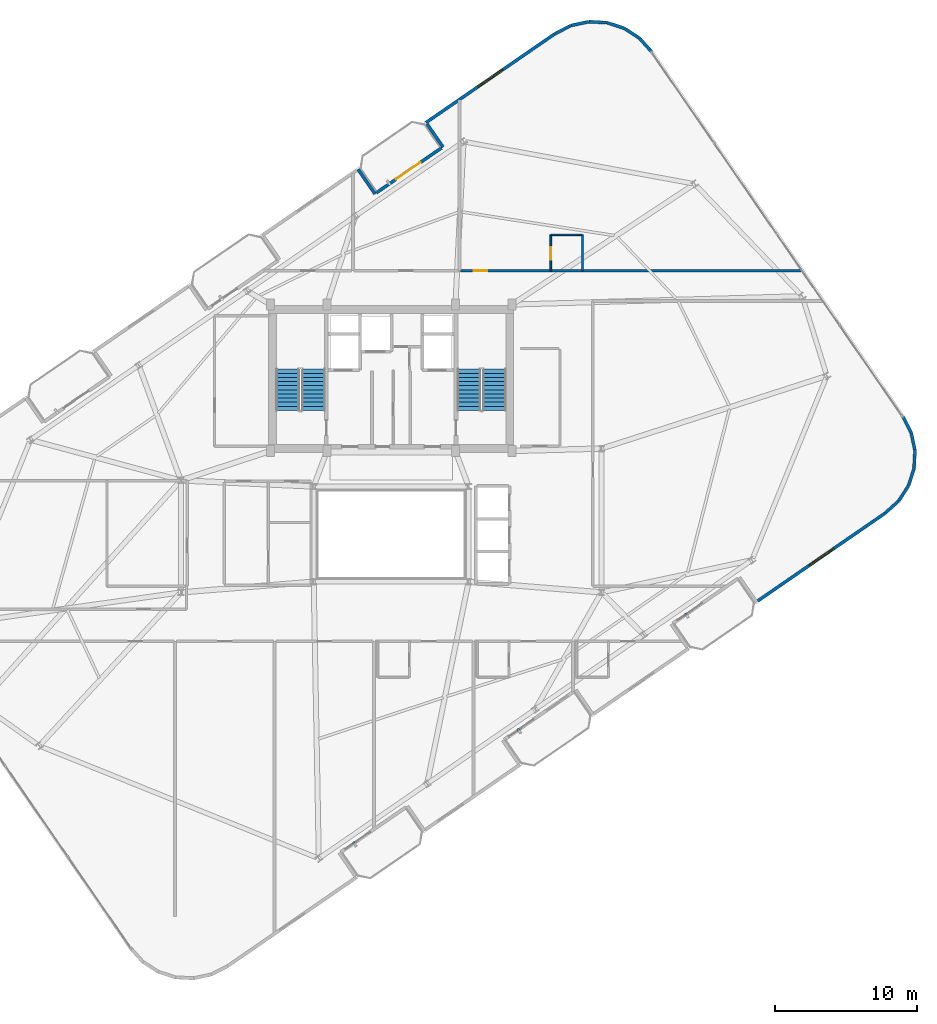
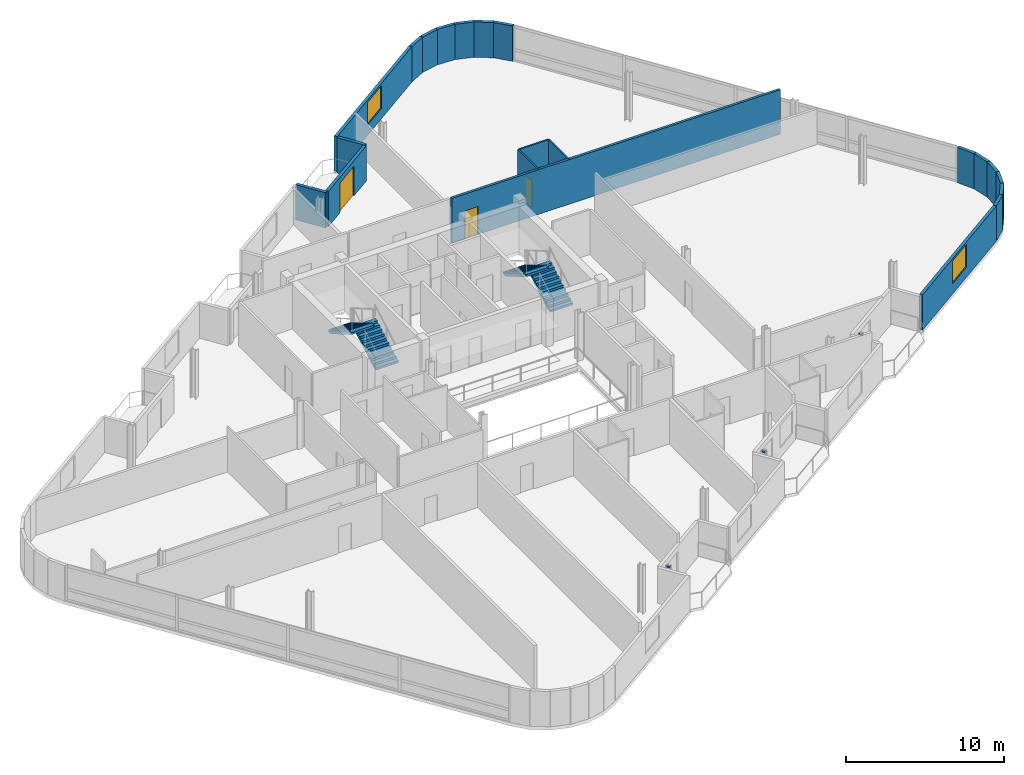
# One storey, part 17 of 21: 21 walls, 4 stair flights, 3 discrete accessories, 3 doors, 2 windows, 5 openings, 2 elements without a shape of their own.
"""IFC4 building model written with IfcOpenShell, lengths in metres."""

from ifc_helpers import new_model, si_unit, direction, frame, frame_2d, origin, origin_2d, place, context, subcontext, project, spatial, polyline, rectangle, outline, extrude, source, transform, mapped, material, layer, layer_set, type_object, element, fill, aggregate, save


model = new_model("IFC4")

# Units and contexts
model_context = context("Model", 3, precision=1e-05, world=origin(), true_north=direction((0.0, 1.0)))
body_context = subcontext(model_context, "Body", "Model", "MODEL_VIEW")
ifc_project = project(units=[si_unit("LENGTHUNIT", "METRE"), si_unit("AREAUNIT", "SQUARE_METRE"), si_unit("VOLUMEUNIT", "CUBIC_METRE"), si_unit("PLANEANGLEUNIT", "RADIAN"), si_unit("MASSUNIT", "GRAM", prefix="KILO")], contexts=[model_context])

# Site, building, storey
site_placement = place(None, origin())
site = spatial("IfcSite", under=ifc_project, at=site_placement, CompositionType="ELEMENT")
building_placement = place(site_placement, origin())
building = spatial("IfcBuilding", under=site, at=building_placement, Name="Varnelok Gate Tower", CompositionType="ELEMENT")
storey_placement = place(building_placement, frame((0.0, 0.0, 261.89990234375)))
storey = spatial("IfcBuildingStorey", under=building, at=storey_placement, Name="L67", CompositionType="ELEMENT", Elevation=261.89990234375)

# Wall, opening, door
ifc_material_1 = material(Name="Concrete C45/55", Category="concrete")
ifc_layer_1 = layer(ifc_material_1, 0.219970703125)
ifc_layer_set_1 = layer_set([ifc_layer_1], Name="Concrete C45/55")
wall_type_1 = type_object("IfcWallType", Name="EW-BALC-220", PredefinedType="SOLIDWALL", material=ifc_layer_set_1)
wall_1_placement = place(storey_placement, frame((38.15625, 46.91162109375, 0.0), z_axis=(0.0, 0.0, 1.0), x_axis=(0.823527178548, 0.567276816195, 0.0)))
wall_1 = element("IfcWall", 1, at=wall_1_placement, inside=storey, type_object=wall_type_1, Name="L67 North Terrace Envelope Wall 6", PredefinedType="SOLIDWALL", context=body_context, shape_type="SweptSolid", body=[
    extrude(rectangle(XDim=5.56689453125, YDim=0.219970703125, at=frame_2d((2.783447265625, 0.0))), origin(), (0.0, 0.0, 1.0), 2.72998046875),
])
opening_1_placement = place(wall_1_placement, frame((1.68017578125, 0.0, 0.0)))
opening_1 = element("IfcOpeningElement", 2, at=opening_1_placement, cuts=wall_1, Name="Opening BD-2", PredefinedType="OPENING", context=body_context, shape_type="SweptSolid", body=[
    extrude(rectangle(XDim=2.10009765625, YDim=2.300048828125, at=frame_2d((1.050048828125, 1.14990234375))), frame((0.0, 0.119873046875, 0.0), z_axis=(0.0, -1.0, 0.0), x_axis=(1.0, 0.0, 0.0)), (0.0, 0.0, 1.0), 0.239990234375),
])
ifc_material_2 = material(Name="Anodized Aluminum Alloy 6063-T6", Category="aluminium")
door_type_1 = type_object("IfcDoorType", Name="DR-EXT-SLID2100", OperationType="SLIDING_TO_LEFT", PredefinedType="DOOR", material=ifc_material_2)
door_1_placement = place(opening_1_placement, origin())
door_1 = element("IfcDoor", 3, at=door_1_placement, inside=storey, type_object=door_type_1, Name="L67 North Balcony Glazed Door 6", OperationType="SLIDING_TO_LEFT", OverallHeight=2.300048828125, OverallWidth=2.10009765625, PredefinedType="DOOR", context=body_context, shape_type="SweptSolid", body=[
    extrude(rectangle(XDim=2.10009765625, YDim=2.300048828125, at=frame_2d((1.050048828125, 1.14990234375))), frame((0.0, 0.02490234375, 0.0), z_axis=(0.0, -1.0, 0.0), x_axis=(1.0, 0.0, 0.0)), (0.0, 0.0, 1.0), 0.050048828125),
])
fill(opening_1, door_1)

# Wall, opening, window
wall_2_placement = place(storey_placement, frame((64.9921875, 18.197998046875, 0.0), z_axis=(0.0, 0.0, 1.0), x_axis=(0.823538117322, 0.56726093583, 0.0)))
wall_2 = element("IfcWall", 4, at=wall_2_placement, inside=storey, type_object=wall_type_1, Name="L67 Perimeter Facade Closure Wall 16", PredefinedType="SOLIDWALL", context=body_context, shape_type="SweptSolid", body=[
    extrude(rectangle(XDim=10.880126953125, YDim=0.219970703125, at=frame_2d((5.43994140625, 0.0))), origin(), (0.0, 0.0, 1.0), 2.72998046875),
])
opening_2_placement = place(wall_2_placement, frame((4.39013671875, 0.0, 0.800048828125)))
opening_2 = element("IfcOpeningElement", 5, at=opening_2_placement, cuts=wall_2, Name="Opening WN4", PredefinedType="OPENING", context=body_context, shape_type="SweptSolid", body=[
    extrude(rectangle(XDim=2.10009765625, YDim=1.75, at=frame_2d((1.050048828125, 0.875))), frame((0.0, 0.119873046875, 0.0), z_axis=(0.0, -1.0, 0.0), x_axis=(1.0, 0.0, 0.0)), (0.0, 0.0, 1.0), 0.239990234375),
])
ifc_material_3 = material(Name="Low-E Laminated Double Glazing IGU", Category="glass")
window_type = type_object("IfcWindowType", Name="WN-SUI-2100", PartitioningType="SINGLE_PANEL", PredefinedType="WINDOW", material=ifc_material_3)
window_1_placement = place(opening_2_placement, origin())
window_1 = element("IfcWindow", 6, at=window_1_placement, inside=storey, type_object=window_type, Name="L67 Perimeter Vision Window 16", OverallHeight=1.75, OverallWidth=2.10009765625, PartitioningType="SINGLE_PANEL", PredefinedType="WINDOW", context=body_context, shape_type="SweptSolid", body=[
    extrude(rectangle(XDim=2.10009765625, YDim=1.75, at=frame_2d((1.050048828125, 0.875))), frame((0.0, 0.030029296875, 0.0), z_axis=(0.0, -1.0, 0.0), x_axis=(1.0, 0.0, 0.0)), (0.0, 0.0, 1.0), 0.06005859375),
])
fill(opening_2, window_1)

# Walls
wall_3_placement = place(storey_placement, frame((73.970947265625, 24.38671875, 0.0), z_axis=(0.0, 0.0, 1.0), x_axis=(0.742501517089, 0.669844382764, 0.0)))
element("IfcWall", 7, at=wall_3_placement, inside=storey, type_object=wall_type_1, Name="L67 Perimeter Facade Closure Wall 17", PredefinedType="SOLIDWALL", context=body_context, shape_type="SweptSolid", body=[
    extrude(rectangle(XDim=1.256591796875, YDim=0.219970703125, at=frame_2d((0.62841796875, 0.0))), origin(), (0.0, 0.0, 1.0), 2.72998046875),
])
wall_4_placement = place(storey_placement, frame((74.91748046875, 25.24951171875, 0.0), z_axis=(0.0, 0.0, 1.0), x_axis=(0.543778157277, 0.839229000731, 0.0)))
element("IfcWall", 8, at=wall_4_placement, inside=storey, type_object=wall_type_1, Name="L67 Perimeter Facade Closure Wall 18", PredefinedType="SOLIDWALL", context=body_context, shape_type="SweptSolid", body=[
    extrude(rectangle(XDim=1.24853515625, YDim=0.219970703125, at=frame_2d((0.624267578125, 0.0))), origin(), (0.0, 0.0, 1.0), 2.72998046875),
])
for number, where, z_axis, x_axis, name in (
    (9, (75.604248046875, 26.321044921875, 0.0), (0.0, 0.0, 1.0), (0.307945220076, 0.951404089455, 0.0), "L67 Perimeter Facade Closure Wall 19"),
    (10, (75.989990234375, 27.533935546875, 0.0), (0.0, 0.0, 1.0), (0.05141975041, 0.998677129641, 0.0), "L67 Perimeter Facade Closure Wall 20"),
    (11, (76.048828125, 28.805419921875, 0.0), (0.0, 0.0, 1.0), (-0.208808017511, 0.977956651301, 0.0), "L67 Perimeter Facade Closure Wall 21"),
    (12, (75.776611328125, 30.048828125, 0.0), (0.0, 0.0, 1.0), (-0.454938817534, 0.890522696118, 0.0), "L67 Perimeter Facade Closure Wall 22"),
):
    element("IfcWall", number, at=place(storey_placement, frame(where, z_axis=z_axis, x_axis=x_axis)), inside=storey, type_object=wall_type_1, Name=name, PredefinedType="SOLIDWALL", context=body_context, shape_type="SweptSolid", body=[
        extrude(rectangle(XDim=1.248779296875, YDim=0.219970703125, at=frame_2d((0.62451171875, 0.0))), origin(), (0.0, 0.0, 1.0), 2.72998046875),
    ])
wall_5_placement = place(storey_placement, frame((57.509765625, 56.85498046875, 0.0), z_axis=(0.0, 0.0, 1.0), x_axis=(-0.669853727156, 0.742493086982, 0.0)))
element("IfcWall", 13, at=wall_5_placement, inside=storey, type_object=wall_type_1, Name="L67 Perimeter Facade Closure Wall 23", PredefinedType="SOLIDWALL", context=body_context, shape_type="SweptSolid", body=[
    extrude(rectangle(XDim=1.27392578125, YDim=0.219970703125, at=frame_2d((0.636962890625, 0.0))), origin(), (0.0, 0.0, 1.0), 2.72998046875),
])
wall_6_placement = place(storey_placement, frame((56.635498046875, 57.814208984375, 0.0), z_axis=(0.0, 0.0, 1.0), x_axis=(-0.839229000731, 0.543778157277, 0.0)))
element("IfcWall", 14, at=wall_6_placement, inside=storey, type_object=wall_type_1, Name="L67 Perimeter Facade Closure Wall 24", PredefinedType="SOLIDWALL", context=body_context, shape_type="SweptSolid", body=[
    extrude(rectangle(XDim=1.24853515625, YDim=0.219970703125, at=frame_2d((0.624267578125, 0.0))), origin(), (0.0, 0.0, 1.0), 2.72998046875),
])
for number, where, z_axis, x_axis, name in (
    (15, (55.56396484375, 58.5009765625, 0.0), (0.0, 0.0, 1.0), (-0.951404089455, 0.307945220076, 0.0), "L67 Perimeter Facade Closure Wall 25"),
    (16, (54.35107421875, 58.88671875, 0.0), (0.0, 0.0, 1.0), (-0.998687150602, 0.051224752047, 0.0), "L67 Perimeter Facade Closure Wall 26"),
    (17, (53.07958984375, 58.945556640625, 0.0), (0.0, 0.0, 1.0), (-0.977956651301, -0.208808017511, 0.0), "L67 Perimeter Facade Closure Wall 27"),
):
    element("IfcWall", number, at=place(storey_placement, frame(where, z_axis=z_axis, x_axis=x_axis)), inside=storey, type_object=wall_type_1, Name=name, PredefinedType="SOLIDWALL", context=body_context, shape_type="SweptSolid", body=[
        extrude(rectangle(XDim=1.248779296875, YDim=0.219970703125, at=frame_2d((0.62451171875, 0.0))), origin(), (0.0, 0.0, 1.0), 2.72998046875),
    ])
wall_7_placement = place(storey_placement, frame((51.836181640625, 58.67333984375, 0.0), z_axis=(0.0, 0.0, 1.0), x_axis=(-0.890586847538, -0.454813222095, 0.0)))
element("IfcWall", 18, at=wall_7_placement, inside=storey, type_object=wall_type_1, Name="L67 Perimeter Facade Closure Wall 28", PredefinedType="SOLIDWALL", context=body_context, shape_type="SweptSolid", body=[
    extrude(rectangle(XDim=1.256591796875, YDim=0.219970703125, at=frame_2d((0.62841796875, 0.0))), origin(), (0.0, 0.0, 1.0), 2.72998046875),
])

# Wall, opening, window
wall_8_placement = place(storey_placement, frame((50.696533203125, 58.08740234375, 0.0), z_axis=(0.0, 0.0, 1.0), x_axis=(-0.823539455464, -0.567258993137, 0.0)))
wall_8 = element("IfcWall", 19, at=wall_8_placement, inside=storey, type_object=wall_type_1, Name="L67 Perimeter Facade Closure Wall 29", PredefinedType="SOLIDWALL", context=body_context, shape_type="SweptSolid", body=[
    extrude(rectangle(XDim=10.97998046875, YDim=0.219970703125, at=frame_2d((5.489990234375, 0.0))), origin(), (0.0, 0.0, 1.0), 2.72998046875),
])
opening_3_placement = place(wall_8_placement, frame((4.440185546875, 0.0, 0.800048828125)))
opening_3 = element("IfcOpeningElement", 20, at=opening_3_placement, cuts=wall_8, Name="Opening WN4", PredefinedType="OPENING", context=body_context, shape_type="SweptSolid", body=[
    extrude(rectangle(XDim=2.10009765625, YDim=1.75, at=frame_2d((1.050048828125, 0.875))), frame((0.0, 0.119873046875, 0.0), z_axis=(0.0, -1.0, 0.0), x_axis=(1.0, 0.0, 0.0)), (0.0, 0.0, 1.0), 0.239990234375),
])
window_2_placement = place(opening_3_placement, origin())
window_2 = element("IfcWindow", 21, at=window_2_placement, inside=storey, type_object=window_type, Name="L67 Perimeter Vision Window 29", OverallHeight=1.75, OverallWidth=2.10009765625, PartitioningType="SINGLE_PANEL", PredefinedType="WINDOW", context=body_context, shape_type="SweptSolid", body=[
    extrude(rectangle(XDim=2.10009765625, YDim=1.75, at=frame_2d((1.050048828125, 0.875))), frame((0.0, 0.030029296875, 0.0), z_axis=(0.0, -1.0, 0.0), x_axis=(1.0, 0.0, 0.0)), (0.0, 0.0, 1.0), 0.06005859375),
])
fill(opening_3, window_2)

# Walls
wall_9_placement = place(storey_placement, frame((41.724853515625, 51.755859375, 0.0), z_axis=(0.0, 0.0, 1.0), x_axis=(0.567273565974, -0.823529417415, 0.0)))
element("IfcWall", 22, at=wall_9_placement, inside=storey, type_object=wall_type_1, Name="L67 Perimeter Facade Closure Wall 30", PredefinedType="SOLIDWALL", context=body_context, shape_type="SweptSolid", body=[
    extrude(rectangle(XDim=1.97509765625, YDim=0.219970703125, at=frame_2d((0.987548828125, 0.0))), origin(), (0.0, 0.0, 1.0), 2.72998046875),
])
wall_10_placement = place(storey_placement, frame((38.06298828125, 46.835205078125, 0.0), z_axis=(0.0, 0.0, 1.0), x_axis=(-0.567219383419, 0.823566737474, 0.0)))
element("IfcWall", 23, at=wall_10_placement, inside=storey, type_object=wall_type_1, Name="L67 Perimeter Facade Closure Wall 31", PredefinedType="SOLIDWALL", context=body_context, shape_type="SweptSolid", body=[
    extrude(rectangle(XDim=2.10009765625, YDim=0.219970703125, at=frame_2d((1.050048828125, 0.0))), origin(), (0.0, 0.0, 1.0), 2.72998046875),
])

# Wall, opening, door
ifc_material_4 = material(Name="Gypsum Plasterboard Acoustic Partition", Category="gypsum")
ifc_layer_2 = layer(ifc_material_4, 0.179931640625)
ifc_layer_set_2 = layer_set([ifc_layer_2], Name="Gypsum Plasterboard Acoustic Partition")
wall_type_2 = type_object("IfcWallType", Name="PW-CORR-180", PredefinedType="PARTITIONING", material=ifc_layer_set_2)
wall_11_placement = place(storey_placement, frame((44.080078125, 41.429931640625, 0.0), z_axis=(0.0, 0.0, 1.0), x_axis=(1.0, 0.0, 0.0)))
wall_11 = element("IfcWall", 24, at=wall_11_placement, inside=storey, type_object=wall_type_2, Name="Interior Partition", PredefinedType="PARTITIONING", context=body_context, shape_type="SweptSolid", body=[
    extrude(rectangle(XDim=23.991943359375, YDim=0.179931640625, at=frame_2d((11.99609375, 0.0))), origin(), (0.0, 0.0, 1.0), 3.4501953125),
])
opening_4_placement = place(wall_11_placement, frame((0.931396484375, 0.0, 0.0)))
opening_4 = element("IfcOpeningElement", 25, at=opening_4_placement, cuts=wall_11, Name="Opening D-HT", PredefinedType="OPENING", context=body_context, shape_type="SweptSolid", body=[
    extrude(rectangle(XDim=0.949951171875, YDim=2.14990234375, at=frame_2d((0.47509765625, 1.074951171875))), frame((0.0, 0.099853515625, 0.0), z_axis=(0.0, -1.0, 0.0), x_axis=(1.0, 0.0, 0.0)), (0.0, 0.0, 1.0), 0.199951171875),
])
ifc_material_5 = material(Name="Engineered Hardwood Timber", Category="wood")
door_type_2 = type_object("IfcDoorType", Name="DR-HTL-950", OperationType="NOTDEFINED", PredefinedType="DOOR", material=ifc_material_5)
door_2_placement = place(opening_4_placement, origin())
door_2 = element("IfcDoor", 26, at=door_2_placement, inside=storey, type_object=door_type_2, Name="L67 Guest Room 09 Entrance Door", OperationType="SINGLE_SWING_RIGHT", OverallHeight=2.14990234375, OverallWidth=0.949951171875, PredefinedType="DOOR", context=body_context, shape_type="SweptSolid", body=[
    extrude(rectangle(XDim=0.949951171875, YDim=2.14990234375, at=frame_2d((0.47509765625, 1.074951171875))), frame((0.0, 0.02490234375, 0.0), z_axis=(0.0, -1.0, 0.0), x_axis=(1.0, 0.0, 0.0)), (0.0, 0.0, 1.0), 0.050048828125),
])
fill(opening_4, door_2)

# Wall
ifc_layer_3 = layer(ifc_material_4, 0.114990234375)
ifc_layer_set_3 = layer_set([ifc_layer_3], Name="Gypsum Plasterboard Acoustic Partition")
wall_type_3 = type_object("IfcWallType", Name="PW-ENS-125", PredefinedType="PARTITIONING", material=ifc_layer_set_3)
wall_12_placement = place(storey_placement, frame((50.469970703125, 43.949951171875, 0.0), z_axis=(0.0, 0.0, 1.0), x_axis=(1.0, 0.0, 0.0)))
element("IfcWall", 27, at=wall_12_placement, inside=storey, type_object=wall_type_3, Name="Interior Partition", PredefinedType="PARTITIONING", context=body_context, shape_type="SweptSolid", body=[
    extrude(rectangle(XDim=2.150146484375, YDim=0.114990234375, at=frame_2d((1.0751953125, 0.0))), origin(), (0.0, 0.0, 1.0), 3.4501953125),
])

# Wall, opening, door
wall_13_placement = place(storey_placement, frame((50.429931640625, 41.429931640625, 0.0), z_axis=(0.0, 0.0, 1.0), x_axis=(0.0, 1.0, 0.0)))
wall_13 = element("IfcWall", 28, at=wall_13_placement, inside=storey, type_object=wall_type_3, Name="Interior Partition", PredefinedType="PARTITIONING", context=body_context, shape_type="SweptSolid", body=[
    extrude(rectangle(XDim=2.52001953125, YDim=0.114990234375, at=frame_2d((1.260009765625, 0.0))), origin(), (0.0, 0.0, 1.0), 3.4501953125),
])
opening_5_placement = place(wall_13_placement, frame((0.760009765625, 0.0, 0.0)))
opening_5 = element("IfcOpeningElement", 29, at=opening_5_placement, cuts=wall_13, Name="Opening D-WC", PredefinedType="OPENING", context=body_context, shape_type="SweptSolid", body=[
    extrude(rectangle(XDim=0.89990234375, YDim=2.050048828125, at=frame_2d((0.449951171875, 1.02490234375))), frame((0.0, 0.0673828125, 0.0), z_axis=(0.0, -1.0, 0.0), x_axis=(1.0, 0.0, 0.0)), (0.0, 0.0, 1.0), 0.135009765625),
])
door_type_3 = type_object("IfcDoorType", Name="DR-BATH-900", OperationType="NOTDEFINED", PredefinedType="DOOR", material=ifc_material_5)
door_3_placement = place(opening_5_placement, origin())
door_3 = element("IfcDoor", 30, at=door_3_placement, inside=storey, type_object=door_type_3, Name="L67 North En-Suite 09 Door", OperationType="SINGLE_SWING_LEFT", OverallHeight=2.050048828125, OverallWidth=0.89990234375, PredefinedType="DOOR", context=body_context, shape_type="SweptSolid", body=[
    extrude(rectangle(XDim=0.89990234375, YDim=2.050048828125, at=frame_2d((0.449951171875, 1.02490234375))), frame((0.0, 0.02490234375, 0.0), z_axis=(0.0, -1.0, 0.0), x_axis=(1.0, 0.0, 0.0)), (0.0, 0.0, 1.0), 0.050048828125),
])
fill(opening_5, door_3)

# Wall
wall_14_placement = place(storey_placement, frame((52.659912109375, 41.429931640625, 0.0), z_axis=(0.0, 0.0, 1.0), x_axis=(0.0, 1.0, 0.0)))
element("IfcWall", 31, at=wall_14_placement, inside=storey, type_object=wall_type_3, Name="Interior Partition", PredefinedType="PARTITIONING", context=body_context, shape_type="SweptSolid", body=[
    extrude(rectangle(XDim=2.52001953125, YDim=0.114990234375, at=frame_2d((1.260009765625, 0.0))), origin(), (0.0, 0.0, 1.0), 3.4501953125),
])

# Stair, stair flights
ifc_material_6 = material(Name="Concrete C50/60", Category="concrete")
stair_type = type_object("IfcStairType", Name="STR-CORE-1650", PredefinedType="HALF_TURN_STAIR", material=ifc_material_6)
stair_1_placement = place(storey_placement, origin())
stair_1 = element("IfcStair", 32, at=stair_1_placement, inside=storey, type_object=stair_type, Name="L67 Exit Stair ST-1", PredefinedType="HALF_TURN_STAIR")
stair_flight_type = type_object("IfcStairFlightType", Name="SFL-CORE-1650", PredefinedType="STRAIGHT", material=ifc_material_6)
stair_flight_1_placement = place(storey_placement, frame((33.72509765625, 31.60009765625, 0.0), z_axis=(0.0, 0.0, 1.0), x_axis=(0.0, 1.0, 0.0)))
stair_flight_1 = element("IfcStairFlight", 33, at=stair_flight_1_placement, type_object=stair_flight_type, Name="ST-1 flight 1", NumberOfRisers=11, NumberOfTreads=10, PredefinedType="STRAIGHT", RiserHeight=0.168181818, TreadLength=0.29, context=body_context, shape_type="SweptSolid", body=[
    extrude(outline(polyline([(0.0, 0.0), (0.0, 0.168212890625), (0.2900390625, 0.168212890625), (0.2900390625, 0.33642578125), (0.580078125, 0.33642578125), (0.580078125, 0.504638671875), (0.8701171875, 0.504638671875), (0.8701171875, 0.672607421875), (1.159912109375, 0.672607421875), (1.159912109375, 0.8408203125), (1.449951171875, 0.8408203125), (1.449951171875, 1.009033203125), (1.739990234375, 1.009033203125), (1.739990234375, 1.17724609375), (2.030029296875, 1.17724609375), (2.030029296875, 1.345458984375), (2.320068359375, 1.345458984375), (2.320068359375, 1.513671875), (2.610107421875, 1.513671875), (2.610107421875, 1.681884765625), (2.89990234375, 1.681884765625), (2.89990234375, 1.85009765625), (2.89990234375, 1.508544921875), (0.298828125, 0.0), (0.0, 0.0)])), frame((0.0, 0.824951171875, 0.0), z_axis=(0.0, -1.0, 0.0), x_axis=(1.0, 0.0, 0.0)), (0.0, 0.0, 1.0), 1.64990234375),
])
stair_flight_2_placement = place(storey_placement, frame((31.925048828125, 34.5, 1.85009765625), z_axis=(0.0, 0.0, 1.0), x_axis=(0.0, -1.0, 0.0)))
stair_flight_2 = element("IfcStairFlight", 34, at=stair_flight_2_placement, type_object=stair_flight_type, Name="ST-1 flight 2", NumberOfRisers=11, NumberOfTreads=10, PredefinedType="STRAIGHT", RiserHeight=0.168181818, TreadLength=0.29, context=body_context, shape_type="SweptSolid", body=[
    extrude(outline(polyline([(0.0, 0.0), (0.0, 0.168212890625), (0.2900390625, 0.168212890625), (0.2900390625, 0.33642578125), (0.580078125, 0.33642578125), (0.580078125, 0.504638671875), (0.8701171875, 0.504638671875), (0.8701171875, 0.672607421875), (1.159912109375, 0.672607421875), (1.159912109375, 0.8408203125), (1.449951171875, 0.8408203125), (1.449951171875, 1.009033203125), (1.739990234375, 1.009033203125), (1.739990234375, 1.17724609375), (2.030029296875, 1.17724609375), (2.030029296875, 1.345458984375), (2.320068359375, 1.345458984375), (2.320068359375, 1.513671875), (2.610107421875, 1.513671875), (2.610107421875, 1.681884765625), (2.89990234375, 1.681884765625), (2.89990234375, 1.85009765625), (2.89990234375, 1.508544921875), (0.298828125, 0.0), (0.0, 0.0)])), frame((0.0, 0.824951171875, 0.0), z_axis=(0.0, -1.0, 0.0), x_axis=(1.0, 0.0, 0.0)), (0.0, 0.0, 1.0), 1.64990234375),
])
aggregate(stair_1, [stair_flight_1, stair_flight_2])

stair_2_placement = place(storey_placement, origin())
stair_2 = element("IfcStair", 35, at=stair_2_placement, inside=storey, type_object=stair_type, Name="L67 Exit Stair ST-2", PredefinedType="HALF_TURN_STAIR")
stair_flight_3_placement = place(storey_placement, frame((46.47509765625, 31.60009765625, 0.0), z_axis=(0.0, 0.0, 1.0), x_axis=(0.0, 1.0, 0.0)))
stair_flight_3 = element("IfcStairFlight", 36, at=stair_flight_3_placement, type_object=stair_flight_type, Name="ST-2 flight 1", NumberOfRisers=11, NumberOfTreads=10, PredefinedType="STRAIGHT", RiserHeight=0.168181818, TreadLength=0.29, context=body_context, shape_type="SweptSolid", body=[
    extrude(outline(polyline([(0.0, 0.0), (0.0, 0.168212890625), (0.2900390625, 0.168212890625), (0.2900390625, 0.33642578125), (0.580078125, 0.33642578125), (0.580078125, 0.504638671875), (0.8701171875, 0.504638671875), (0.8701171875, 0.672607421875), (1.159912109375, 0.672607421875), (1.159912109375, 0.8408203125), (1.449951171875, 0.8408203125), (1.449951171875, 1.009033203125), (1.739990234375, 1.009033203125), (1.739990234375, 1.17724609375), (2.030029296875, 1.17724609375), (2.030029296875, 1.345458984375), (2.320068359375, 1.345458984375), (2.320068359375, 1.513671875), (2.610107421875, 1.513671875), (2.610107421875, 1.681884765625), (2.89990234375, 1.681884765625), (2.89990234375, 1.85009765625), (2.89990234375, 1.508544921875), (0.298828125, 0.0), (0.0, 0.0)])), frame((0.0, 0.824951171875, 0.0), z_axis=(0.0, -1.0, 0.0), x_axis=(1.0, 0.0, 0.0)), (0.0, 0.0, 1.0), 1.64990234375),
])
stair_flight_4_placement = place(storey_placement, frame((44.675048828125, 34.5, 1.85009765625), z_axis=(0.0, 0.0, 1.0), x_axis=(0.0, -1.0, 0.0)))
stair_flight_4 = element("IfcStairFlight", 37, at=stair_flight_4_placement, type_object=stair_flight_type, Name="ST-2 flight 2", NumberOfRisers=11, NumberOfTreads=10, PredefinedType="STRAIGHT", RiserHeight=0.168181818, TreadLength=0.29, context=body_context, shape_type="SweptSolid", body=[
    extrude(outline(polyline([(0.0, 0.0), (0.0, 0.168212890625), (0.2900390625, 0.168212890625), (0.2900390625, 0.33642578125), (0.580078125, 0.33642578125), (0.580078125, 0.504638671875), (0.8701171875, 0.504638671875), (0.8701171875, 0.672607421875), (1.159912109375, 0.672607421875), (1.159912109375, 0.8408203125), (1.449951171875, 0.8408203125), (1.449951171875, 1.009033203125), (1.739990234375, 1.009033203125), (1.739990234375, 1.17724609375), (2.030029296875, 1.17724609375), (2.030029296875, 1.345458984375), (2.320068359375, 1.345458984375), (2.320068359375, 1.513671875), (2.610107421875, 1.513671875), (2.610107421875, 1.681884765625), (2.89990234375, 1.681884765625), (2.89990234375, 1.85009765625), (2.89990234375, 1.508544921875), (0.298828125, 0.0), (0.0, 0.0)])), frame((0.0, 0.824951171875, 0.0), z_axis=(0.0, -1.0, 0.0), x_axis=(1.0, 0.0, 0.0)), (0.0, 0.0, 1.0), 1.64990234375),
])
aggregate(stair_2, [stair_flight_3, stair_flight_4])

# Discrete accessories
ifc_material_7 = material(Name="Structural Steel ASTM A500 Grade C", Category="steel")
discrete_accessory_type = type_object("IfcDiscreteAccessoryType", Name="ACC-BAGUETTE-BRK", PredefinedType="BRACKET", material=ifc_material_7)
shared_shape = source(origin(), body_context, "Body", "SweptSolid", [
    extrude(rectangle(XDim=0.159912109375, YDim=0.340087890625, at=origin_2d()), origin(), (0.0, 0.0, 1.0), 0.139892578125),
])
for number, where, z_axis, x_axis, name in (
    (38, (36.62158203125, 1.09619140625, 1.97998046875), (0.0, 0.0, 1.0), (0.823532597628, 0.567268949127, 0.0), "L67 Terracotta Baguette Bracket 1.1"),
    (39, (48.195068359375, 9.068359375, 1.97998046875), (0.0, 0.0, 1.0), (0.823532597628, 0.567268949127, 0.0), "L67 Terracotta Baguette Bracket 2.1"),
    (40, (59.982666015625, 17.187744140625, 1.97998046875), (0.0, 0.0, 1.0), (0.823532597628, 0.567268949127, 0.0), "L67 Terracotta Baguette Bracket 3.1"),
):
    element("IfcDiscreteAccessory", number, at=place(storey_placement, frame(where, z_axis=z_axis, x_axis=x_axis)), inside=storey, type_object=discrete_accessory_type, Name=name, PredefinedType="BRACKET", context=body_context, shape_type="MappedRepresentation", body=[
        mapped(shared_shape, transform((0.0, 0.0, 0.0), scale=1.0)),
    ])

save(model, "model.ifc")
